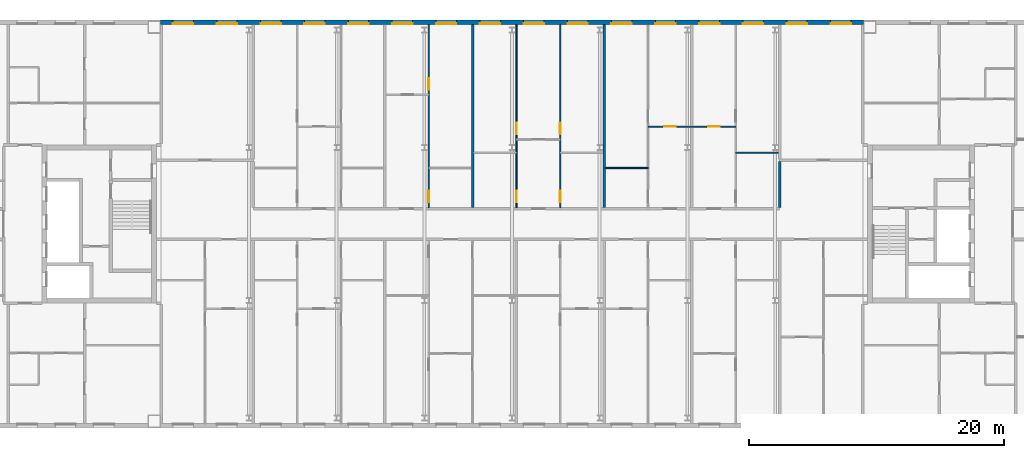
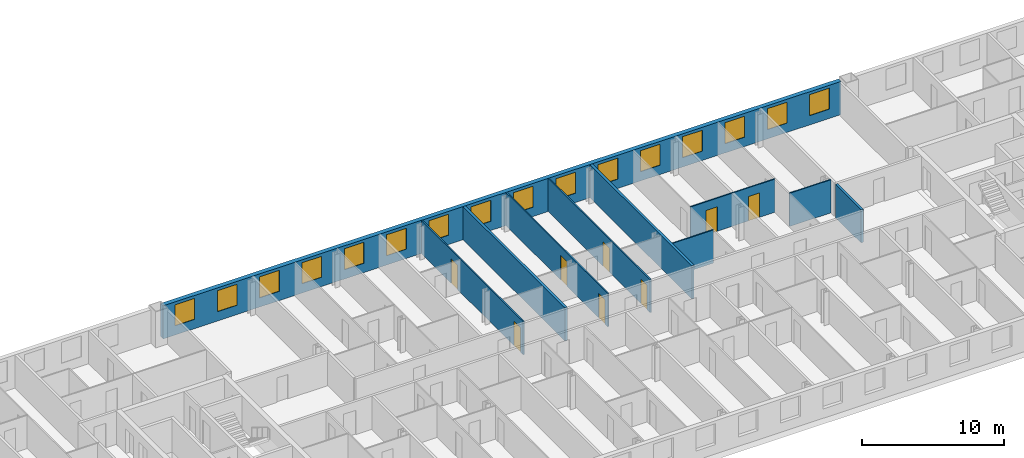
# One storey, part 12 of 19: 16 windows, 10 walls, 8 doors, 24 openings.
"""IFC4 building model written with IfcOpenShell, lengths in metres."""

from ifc_helpers import new_model, si_unit, direction, frame, frame_2d, origin, place, context, subcontext, project, spatial, rectangle, extrude, material, layer, layer_set, type_object, element, fill, save


model = new_model("IFC4")

# Units and contexts
model_context = context("Model", 3, precision=1e-05, world=origin(), true_north=direction((0.0, 1.0)))
body_context = subcontext(model_context, "Body", "Model", "MODEL_VIEW")
ifc_project = project(units=[si_unit("LENGTHUNIT", "METRE"), si_unit("AREAUNIT", "SQUARE_METRE"), si_unit("VOLUMEUNIT", "CUBIC_METRE"), si_unit("PLANEANGLEUNIT", "RADIAN"), si_unit("MASSUNIT", "GRAM", prefix="KILO")], contexts=[model_context])

# Site, building, storey
site_placement = place(None, origin())
site = spatial("IfcSite", under=ifc_project, at=site_placement, CompositionType="ELEMENT")
building_placement = place(site_placement, origin())
building = spatial("IfcBuilding", under=site, at=building_placement, Name="Tuart Gate Housing", CompositionType="ELEMENT")
storey_placement = place(building_placement, frame((0.0, 0.0, 202.800048828125)))
storey = spatial("IfcBuildingStorey", under=building, at=storey_placement, Name="L57", CompositionType="ELEMENT", Elevation=202.800048828125)

# Wall, openings, windows
ifc_material_1 = material(Name="Brick", Category="masonry")
ifc_layer_1 = layer(ifc_material_1, 0.360107421875)
ifc_layer_set_1 = layer_set([ifc_layer_1], Name="Brick pier and spandrel wall 360")
wall_type_1 = type_object("IfcWallType", Name="Brick pier and spandrel wall 360", PredefinedType="STANDARD", material=ifc_layer_set_1)
wall_1_placement = place(storey_placement, frame((131.050048828125, 85.820068359375, 0.0), z_axis=(0.0, 0.0, 1.0), x_axis=(-1.0, 0.0, 0.0)))
wall_1 = element("IfcWall", 1, at=wall_1_placement, inside=storey, type_object=wall_type_1, Name="External wall BLK-N L57", PredefinedType="STANDARD", context=body_context, shape_type="SweptSolid", body=[
    extrude(rectangle(XDim=55.10009765625, YDim=0.360107421875, at=frame_2d((27.550048828125, 0.0))), origin(), (0.0, 0.0, 1.0), 2.849853515625),
])
opening_1_placement = place(wall_1_placement, frame((0.96875, 0.0, 0.800048828125)))
opening_1 = element("IfcOpeningElement", 2, at=opening_1_placement, cuts=wall_1, Name="Opening W1", PredefinedType="OPENING", context=body_context, shape_type="SweptSolid", body=[
    extrude(rectangle(XDim=1.60009765625, YDim=1.800048828125, at=frame_2d((0.800048828125, 0.89990234375))), frame((0.0, 0.18994140625, 0.0), z_axis=(0.0, -1.0, 0.0), x_axis=(1.0, 0.0, 0.0)), (0.0, 0.0, 1.0), 0.380126953125),
])
opening_2_placement = place(wall_1_placement, frame((4.40625, 0.0, 0.800048828125)))
opening_2 = element("IfcOpeningElement", 3, at=opening_2_placement, cuts=wall_1, Name="Opening W1", PredefinedType="OPENING", context=body_context, shape_type="SweptSolid", body=[
    extrude(rectangle(XDim=1.60009765625, YDim=1.800048828125, at=frame_2d((0.800048828125, 0.89990234375))), frame((0.0, 0.18994140625, 0.0), z_axis=(0.0, -1.0, 0.0), x_axis=(1.0, 0.0, 0.0)), (0.0, 0.0, 1.0), 0.380126953125),
])
opening_3_placement = place(wall_1_placement, frame((7.84375, 0.0, 0.800048828125)))
opening_3 = element("IfcOpeningElement", 4, at=opening_3_placement, cuts=wall_1, Name="Opening W1", PredefinedType="OPENING", context=body_context, shape_type="SweptSolid", body=[
    extrude(rectangle(XDim=1.60009765625, YDim=1.800048828125, at=frame_2d((0.800048828125, 0.89990234375))), frame((0.0, 0.18994140625, 0.0), z_axis=(0.0, -1.0, 0.0), x_axis=(1.0, 0.0, 0.0)), (0.0, 0.0, 1.0), 0.380126953125),
])
opening_4_placement = place(wall_1_placement, frame((11.28125, 0.0, 0.800048828125)))
opening_4 = element("IfcOpeningElement", 5, at=opening_4_placement, cuts=wall_1, Name="Opening W1", PredefinedType="OPENING", context=body_context, shape_type="SweptSolid", body=[
    extrude(rectangle(XDim=1.60009765625, YDim=1.800048828125, at=frame_2d((0.800048828125, 0.89990234375))), frame((0.0, 0.18994140625, 0.0), z_axis=(0.0, -1.0, 0.0), x_axis=(1.0, 0.0, 0.0)), (0.0, 0.0, 1.0), 0.380126953125),
])
opening_5_placement = place(wall_1_placement, frame((14.71875, 0.0, 0.800048828125)))
opening_5 = element("IfcOpeningElement", 6, at=opening_5_placement, cuts=wall_1, Name="Opening W1", PredefinedType="OPENING", context=body_context, shape_type="SweptSolid", body=[
    extrude(rectangle(XDim=1.60009765625, YDim=1.800048828125, at=frame_2d((0.800048828125, 0.89990234375))), frame((0.0, 0.18994140625, 0.0), z_axis=(0.0, -1.0, 0.0), x_axis=(1.0, 0.0, 0.0)), (0.0, 0.0, 1.0), 0.380126953125),
])
opening_6_placement = place(wall_1_placement, frame((18.15625, 0.0, 0.800048828125)))
opening_6 = element("IfcOpeningElement", 7, at=opening_6_placement, cuts=wall_1, Name="Opening W1", PredefinedType="OPENING", context=body_context, shape_type="SweptSolid", body=[
    extrude(rectangle(XDim=1.60009765625, YDim=1.800048828125, at=frame_2d((0.800048828125, 0.89990234375))), frame((0.0, 0.18994140625, 0.0), z_axis=(0.0, -1.0, 0.0), x_axis=(1.0, 0.0, 0.0)), (0.0, 0.0, 1.0), 0.380126953125),
])
opening_7_placement = place(wall_1_placement, frame((21.59375, 0.0, 0.800048828125)))
opening_7 = element("IfcOpeningElement", 8, at=opening_7_placement, cuts=wall_1, Name="Opening W1", PredefinedType="OPENING", context=body_context, shape_type="SweptSolid", body=[
    extrude(rectangle(XDim=1.60009765625, YDim=1.800048828125, at=frame_2d((0.800048828125, 0.89990234375))), frame((0.0, 0.18994140625, 0.0), z_axis=(0.0, -1.0, 0.0), x_axis=(1.0, 0.0, 0.0)), (0.0, 0.0, 1.0), 0.380126953125),
])
opening_8_placement = place(wall_1_placement, frame((25.03125, 0.0, 0.800048828125)))
opening_8 = element("IfcOpeningElement", 9, at=opening_8_placement, cuts=wall_1, Name="Opening W1", PredefinedType="OPENING", context=body_context, shape_type="SweptSolid", body=[
    extrude(rectangle(XDim=1.60009765625, YDim=1.800048828125, at=frame_2d((0.800048828125, 0.89990234375))), frame((0.0, 0.18994140625, 0.0), z_axis=(0.0, -1.0, 0.0), x_axis=(1.0, 0.0, 0.0)), (0.0, 0.0, 1.0), 0.380126953125),
])
opening_9_placement = place(wall_1_placement, frame((28.46875, 0.0, 0.800048828125)))
opening_9 = element("IfcOpeningElement", 10, at=opening_9_placement, cuts=wall_1, Name="Opening W1", PredefinedType="OPENING", context=body_context, shape_type="SweptSolid", body=[
    extrude(rectangle(XDim=1.60009765625, YDim=1.800048828125, at=frame_2d((0.800048828125, 0.89990234375))), frame((0.0, 0.18994140625, 0.0), z_axis=(0.0, -1.0, 0.0), x_axis=(1.0, 0.0, 0.0)), (0.0, 0.0, 1.0), 0.380126953125),
])
opening_10_placement = place(wall_1_placement, frame((31.90625, 0.0, 0.800048828125)))
opening_10 = element("IfcOpeningElement", 11, at=opening_10_placement, cuts=wall_1, Name="Opening W1", PredefinedType="OPENING", context=body_context, shape_type="SweptSolid", body=[
    extrude(rectangle(XDim=1.60009765625, YDim=1.800048828125, at=frame_2d((0.800048828125, 0.89990234375))), frame((0.0, 0.18994140625, 0.0), z_axis=(0.0, -1.0, 0.0), x_axis=(1.0, 0.0, 0.0)), (0.0, 0.0, 1.0), 0.380126953125),
])
opening_11_placement = place(wall_1_placement, frame((35.34375, 0.0, 0.800048828125)))
opening_11 = element("IfcOpeningElement", 12, at=opening_11_placement, cuts=wall_1, Name="Opening W1", PredefinedType="OPENING", context=body_context, shape_type="SweptSolid", body=[
    extrude(rectangle(XDim=1.60009765625, YDim=1.800048828125, at=frame_2d((0.800048828125, 0.89990234375))), frame((0.0, 0.18994140625, 0.0), z_axis=(0.0, -1.0, 0.0), x_axis=(1.0, 0.0, 0.0)), (0.0, 0.0, 1.0), 0.380126953125),
])
opening_12_placement = place(wall_1_placement, frame((38.78125, 0.0, 0.800048828125)))
opening_12 = element("IfcOpeningElement", 13, at=opening_12_placement, cuts=wall_1, Name="Opening W1", PredefinedType="OPENING", context=body_context, shape_type="SweptSolid", body=[
    extrude(rectangle(XDim=1.60009765625, YDim=1.800048828125, at=frame_2d((0.800048828125, 0.89990234375))), frame((0.0, 0.18994140625, 0.0), z_axis=(0.0, -1.0, 0.0), x_axis=(1.0, 0.0, 0.0)), (0.0, 0.0, 1.0), 0.380126953125),
])
opening_13_placement = place(wall_1_placement, frame((42.21875, 0.0, 0.800048828125)))
opening_13 = element("IfcOpeningElement", 14, at=opening_13_placement, cuts=wall_1, Name="Opening W1", PredefinedType="OPENING", context=body_context, shape_type="SweptSolid", body=[
    extrude(rectangle(XDim=1.60009765625, YDim=1.800048828125, at=frame_2d((0.800048828125, 0.89990234375))), frame((0.0, 0.18994140625, 0.0), z_axis=(0.0, -1.0, 0.0), x_axis=(1.0, 0.0, 0.0)), (0.0, 0.0, 1.0), 0.380126953125),
])
opening_14_placement = place(wall_1_placement, frame((45.65625, 0.0, 0.800048828125)))
opening_14 = element("IfcOpeningElement", 15, at=opening_14_placement, cuts=wall_1, Name="Opening W1", PredefinedType="OPENING", context=body_context, shape_type="SweptSolid", body=[
    extrude(rectangle(XDim=1.60009765625, YDim=1.800048828125, at=frame_2d((0.800048828125, 0.89990234375))), frame((0.0, 0.18994140625, 0.0), z_axis=(0.0, -1.0, 0.0), x_axis=(1.0, 0.0, 0.0)), (0.0, 0.0, 1.0), 0.380126953125),
])
opening_15_placement = place(wall_1_placement, frame((49.09375, 0.0, 0.800048828125)))
opening_15 = element("IfcOpeningElement", 16, at=opening_15_placement, cuts=wall_1, Name="Opening W1", PredefinedType="OPENING", context=body_context, shape_type="SweptSolid", body=[
    extrude(rectangle(XDim=1.60009765625, YDim=1.800048828125, at=frame_2d((0.800048828125, 0.89990234375))), frame((0.0, 0.18994140625, 0.0), z_axis=(0.0, -1.0, 0.0), x_axis=(1.0, 0.0, 0.0)), (0.0, 0.0, 1.0), 0.380126953125),
])
opening_16_placement = place(wall_1_placement, frame((52.53125, 0.0, 0.800048828125)))
opening_16 = element("IfcOpeningElement", 17, at=opening_16_placement, cuts=wall_1, Name="Opening W1", PredefinedType="OPENING", context=body_context, shape_type="SweptSolid", body=[
    extrude(rectangle(XDim=1.60009765625, YDim=1.800048828125, at=frame_2d((0.800048828125, 0.89990234375))), frame((0.0, 0.18994140625, 0.0), z_axis=(0.0, -1.0, 0.0), x_axis=(1.0, 0.0, 0.0)), (0.0, 0.0, 1.0), 0.380126953125),
])
ifc_material_2 = material(Name="Aluminium frame with clear glass", Category="aluminium")
window_type = type_object("IfcWindowType", Name="Punched window 1600 x 1800", PartitioningType="SINGLE_PANEL", PredefinedType="WINDOW", material=ifc_material_2)
window_1_placement = place(opening_1_placement, origin())
window_1 = element("IfcWindow", 18, at=window_1_placement, inside=storey, type_object=window_type, Name="Window W1", OverallHeight=1.800048828125, OverallWidth=1.60009765625, PartitioningType="SINGLE_PANEL", PredefinedType="WINDOW", context=body_context, shape_type="SweptSolid", body=[
    extrude(rectangle(XDim=1.60009765625, YDim=1.800048828125, at=frame_2d((0.800048828125, 0.89990234375))), frame((0.0, 0.150146484375, 0.0), z_axis=(0.0, -1.0, 0.0), x_axis=(1.0, 0.0, 0.0)), (0.0, 0.0, 1.0), 0.06005859375),
])
fill(opening_1, window_1)
window_2_placement = place(opening_2_placement, origin())
window_2 = element("IfcWindow", 19, at=window_2_placement, inside=storey, type_object=window_type, Name="Window W1", OverallHeight=1.800048828125, OverallWidth=1.60009765625, PartitioningType="SINGLE_PANEL", PredefinedType="WINDOW", context=body_context, shape_type="SweptSolid", body=[
    extrude(rectangle(XDim=1.60009765625, YDim=1.800048828125, at=frame_2d((0.800048828125, 0.89990234375))), frame((0.0, 0.150146484375, 0.0), z_axis=(0.0, -1.0, 0.0), x_axis=(1.0, 0.0, 0.0)), (0.0, 0.0, 1.0), 0.06005859375),
])
fill(opening_2, window_2)
window_3_placement = place(opening_3_placement, origin())
window_3 = element("IfcWindow", 20, at=window_3_placement, inside=storey, type_object=window_type, Name="Window W1", OverallHeight=1.800048828125, OverallWidth=1.60009765625, PartitioningType="SINGLE_PANEL", PredefinedType="WINDOW", context=body_context, shape_type="SweptSolid", body=[
    extrude(rectangle(XDim=1.60009765625, YDim=1.800048828125, at=frame_2d((0.800048828125, 0.89990234375))), frame((0.0, 0.150146484375, 0.0), z_axis=(0.0, -1.0, 0.0), x_axis=(1.0, 0.0, 0.0)), (0.0, 0.0, 1.0), 0.06005859375),
])
fill(opening_3, window_3)
window_4_placement = place(opening_4_placement, origin())
window_4 = element("IfcWindow", 21, at=window_4_placement, inside=storey, type_object=window_type, Name="Window W1", OverallHeight=1.800048828125, OverallWidth=1.60009765625, PartitioningType="SINGLE_PANEL", PredefinedType="WINDOW", context=body_context, shape_type="SweptSolid", body=[
    extrude(rectangle(XDim=1.60009765625, YDim=1.800048828125, at=frame_2d((0.800048828125, 0.89990234375))), frame((0.0, 0.150146484375, 0.0), z_axis=(0.0, -1.0, 0.0), x_axis=(1.0, 0.0, 0.0)), (0.0, 0.0, 1.0), 0.06005859375),
])
fill(opening_4, window_4)
window_5_placement = place(opening_5_placement, origin())
window_5 = element("IfcWindow", 22, at=window_5_placement, inside=storey, type_object=window_type, Name="Window W1", OverallHeight=1.800048828125, OverallWidth=1.60009765625, PartitioningType="SINGLE_PANEL", PredefinedType="WINDOW", context=body_context, shape_type="SweptSolid", body=[
    extrude(rectangle(XDim=1.60009765625, YDim=1.800048828125, at=frame_2d((0.800048828125, 0.89990234375))), frame((0.0, 0.150146484375, 0.0), z_axis=(0.0, -1.0, 0.0), x_axis=(1.0, 0.0, 0.0)), (0.0, 0.0, 1.0), 0.06005859375),
])
fill(opening_5, window_5)
window_6_placement = place(opening_6_placement, origin())
window_6 = element("IfcWindow", 23, at=window_6_placement, inside=storey, type_object=window_type, Name="Window W1", OverallHeight=1.800048828125, OverallWidth=1.60009765625, PartitioningType="SINGLE_PANEL", PredefinedType="WINDOW", context=body_context, shape_type="SweptSolid", body=[
    extrude(rectangle(XDim=1.60009765625, YDim=1.800048828125, at=frame_2d((0.800048828125, 0.89990234375))), frame((0.0, 0.150146484375, 0.0), z_axis=(0.0, -1.0, 0.0), x_axis=(1.0, 0.0, 0.0)), (0.0, 0.0, 1.0), 0.06005859375),
])
fill(opening_6, window_6)
window_7_placement = place(opening_7_placement, origin())
window_7 = element("IfcWindow", 24, at=window_7_placement, inside=storey, type_object=window_type, Name="Window W1", OverallHeight=1.800048828125, OverallWidth=1.60009765625, PartitioningType="SINGLE_PANEL", PredefinedType="WINDOW", context=body_context, shape_type="SweptSolid", body=[
    extrude(rectangle(XDim=1.60009765625, YDim=1.800048828125, at=frame_2d((0.800048828125, 0.89990234375))), frame((0.0, 0.150146484375, 0.0), z_axis=(0.0, -1.0, 0.0), x_axis=(1.0, 0.0, 0.0)), (0.0, 0.0, 1.0), 0.06005859375),
])
fill(opening_7, window_7)
window_8_placement = place(opening_8_placement, origin())
window_8 = element("IfcWindow", 25, at=window_8_placement, inside=storey, type_object=window_type, Name="Window W1", OverallHeight=1.800048828125, OverallWidth=1.60009765625, PartitioningType="SINGLE_PANEL", PredefinedType="WINDOW", context=body_context, shape_type="SweptSolid", body=[
    extrude(rectangle(XDim=1.60009765625, YDim=1.800048828125, at=frame_2d((0.800048828125, 0.89990234375))), frame((0.0, 0.150146484375, 0.0), z_axis=(0.0, -1.0, 0.0), x_axis=(1.0, 0.0, 0.0)), (0.0, 0.0, 1.0), 0.06005859375),
])
fill(opening_8, window_8)
window_9_placement = place(opening_9_placement, origin())
window_9 = element("IfcWindow", 26, at=window_9_placement, inside=storey, type_object=window_type, Name="Window W1", OverallHeight=1.800048828125, OverallWidth=1.60009765625, PartitioningType="SINGLE_PANEL", PredefinedType="WINDOW", context=body_context, shape_type="SweptSolid", body=[
    extrude(rectangle(XDim=1.60009765625, YDim=1.800048828125, at=frame_2d((0.800048828125, 0.89990234375))), frame((0.0, 0.150146484375, 0.0), z_axis=(0.0, -1.0, 0.0), x_axis=(1.0, 0.0, 0.0)), (0.0, 0.0, 1.0), 0.06005859375),
])
fill(opening_9, window_9)
window_10_placement = place(opening_10_placement, origin())
window_10 = element("IfcWindow", 27, at=window_10_placement, inside=storey, type_object=window_type, Name="Window W1", OverallHeight=1.800048828125, OverallWidth=1.60009765625, PartitioningType="SINGLE_PANEL", PredefinedType="WINDOW", context=body_context, shape_type="SweptSolid", body=[
    extrude(rectangle(XDim=1.60009765625, YDim=1.800048828125, at=frame_2d((0.800048828125, 0.89990234375))), frame((0.0, 0.150146484375, 0.0), z_axis=(0.0, -1.0, 0.0), x_axis=(1.0, 0.0, 0.0)), (0.0, 0.0, 1.0), 0.06005859375),
])
fill(opening_10, window_10)
window_11_placement = place(opening_11_placement, origin())
window_11 = element("IfcWindow", 28, at=window_11_placement, inside=storey, type_object=window_type, Name="Window W1", OverallHeight=1.800048828125, OverallWidth=1.60009765625, PartitioningType="SINGLE_PANEL", PredefinedType="WINDOW", context=body_context, shape_type="SweptSolid", body=[
    extrude(rectangle(XDim=1.60009765625, YDim=1.800048828125, at=frame_2d((0.800048828125, 0.89990234375))), frame((0.0, 0.150146484375, 0.0), z_axis=(0.0, -1.0, 0.0), x_axis=(1.0, 0.0, 0.0)), (0.0, 0.0, 1.0), 0.06005859375),
])
fill(opening_11, window_11)
window_12_placement = place(opening_12_placement, origin())
window_12 = element("IfcWindow", 29, at=window_12_placement, inside=storey, type_object=window_type, Name="Window W1", OverallHeight=1.800048828125, OverallWidth=1.60009765625, PartitioningType="SINGLE_PANEL", PredefinedType="WINDOW", context=body_context, shape_type="SweptSolid", body=[
    extrude(rectangle(XDim=1.60009765625, YDim=1.800048828125, at=frame_2d((0.800048828125, 0.89990234375))), frame((0.0, 0.150146484375, 0.0), z_axis=(0.0, -1.0, 0.0), x_axis=(1.0, 0.0, 0.0)), (0.0, 0.0, 1.0), 0.06005859375),
])
fill(opening_12, window_12)
window_13_placement = place(opening_13_placement, origin())
window_13 = element("IfcWindow", 30, at=window_13_placement, inside=storey, type_object=window_type, Name="Window W1", OverallHeight=1.800048828125, OverallWidth=1.60009765625, PartitioningType="SINGLE_PANEL", PredefinedType="WINDOW", context=body_context, shape_type="SweptSolid", body=[
    extrude(rectangle(XDim=1.60009765625, YDim=1.800048828125, at=frame_2d((0.800048828125, 0.89990234375))), frame((0.0, 0.150146484375, 0.0), z_axis=(0.0, -1.0, 0.0), x_axis=(1.0, 0.0, 0.0)), (0.0, 0.0, 1.0), 0.06005859375),
])
fill(opening_13, window_13)
window_14_placement = place(opening_14_placement, origin())
window_14 = element("IfcWindow", 31, at=window_14_placement, inside=storey, type_object=window_type, Name="Window W1", OverallHeight=1.800048828125, OverallWidth=1.60009765625, PartitioningType="SINGLE_PANEL", PredefinedType="WINDOW", context=body_context, shape_type="SweptSolid", body=[
    extrude(rectangle(XDim=1.60009765625, YDim=1.800048828125, at=frame_2d((0.800048828125, 0.89990234375))), frame((0.0, 0.150146484375, 0.0), z_axis=(0.0, -1.0, 0.0), x_axis=(1.0, 0.0, 0.0)), (0.0, 0.0, 1.0), 0.06005859375),
])
fill(opening_14, window_14)
window_15_placement = place(opening_15_placement, origin())
window_15 = element("IfcWindow", 32, at=window_15_placement, inside=storey, type_object=window_type, Name="Window W1", OverallHeight=1.800048828125, OverallWidth=1.60009765625, PartitioningType="SINGLE_PANEL", PredefinedType="WINDOW", context=body_context, shape_type="SweptSolid", body=[
    extrude(rectangle(XDim=1.60009765625, YDim=1.800048828125, at=frame_2d((0.800048828125, 0.89990234375))), frame((0.0, 0.150146484375, 0.0), z_axis=(0.0, -1.0, 0.0), x_axis=(1.0, 0.0, 0.0)), (0.0, 0.0, 1.0), 0.06005859375),
])
fill(opening_15, window_15)
window_16_placement = place(opening_16_placement, origin())
window_16 = element("IfcWindow", 33, at=window_16_placement, inside=storey, type_object=window_type, Name="Window W1", OverallHeight=1.800048828125, OverallWidth=1.60009765625, PartitioningType="SINGLE_PANEL", PredefinedType="WINDOW", context=body_context, shape_type="SweptSolid", body=[
    extrude(rectangle(XDim=1.60009765625, YDim=1.800048828125, at=frame_2d((0.800048828125, 0.89990234375))), frame((0.0, 0.150146484375, 0.0), z_axis=(0.0, -1.0, 0.0), x_axis=(1.0, 0.0, 0.0)), (0.0, 0.0, 1.0), 0.06005859375),
])
fill(opening_16, window_16)

# Walls
ifc_material_3 = material(Name="Concrete masonry 15 MPa", Category="masonry")
ifc_layer_2 = layer(ifc_material_3, 0.199951171875)
ifc_layer_set_2 = layer_set([ifc_layer_2], Name="Corridor wall masonry 200")
wall_type_2 = type_object("IfcWallType", Name="Corridor wall masonry 200", PredefinedType="PARTITIONING", material=ifc_layer_set_2)
wall_2_placement = place(storey_placement, frame((124.47509765625, 71.300048828125, 0.0), z_axis=(0.0, 0.0, 1.0), x_axis=(0.0, 1.0, 0.0)))
element("IfcWall", 34, at=wall_2_placement, inside=storey, type_object=wall_type_2, Name="Corridor wall masonry 200", PredefinedType="PARTITIONING", context=body_context, shape_type="SweptSolid", body=[
    extrude(rectangle(XDim=3.599853515625, YDim=0.199951171875, at=frame_2d((1.7998046875, 0.0))), origin(), (0.0, 0.0, 1.0), 2.849853515625),
])
ifc_material_4 = material(Name="Gypsum board on steel studs", Category="steel")
ifc_layer_3 = layer(ifc_material_4, 0.10009765625)
ifc_layer_set_3 = layer_set([ifc_layer_3], Name="Partition 100")
wall_type_3 = type_object("IfcWallType", Name="Partition 100", PredefinedType="PARTITIONING", material=ifc_layer_set_3)
wall_3_placement = place(storey_placement, frame((110.824951171875, 74.39990234375, 0.0), z_axis=(0.0, 0.0, 1.0), x_axis=(1.0, 0.0, 0.0)))
element("IfcWall", 35, at=wall_3_placement, inside=storey, type_object=wall_type_3, Name="Partition 100", PredefinedType="PARTITIONING", context=body_context, shape_type="SweptSolid", body=[
    extrude(rectangle(XDim=3.337158203125, YDim=0.10009765625, at=frame_2d((1.66845703125, 0.0))), origin(), (0.0, 0.0, 1.0), 2.849853515625),
])
wall_4_placement = place(storey_placement, frame((121.037109375, 75.60009765625, 0.0), z_axis=(0.0, 0.0, 1.0), x_axis=(1.0, 0.0, 0.0)))
element("IfcWall", 36, at=wall_4_placement, inside=storey, type_object=wall_type_3, Name="Partition 100", PredefinedType="PARTITIONING", context=body_context, shape_type="SweptSolid", body=[
    extrude(rectangle(XDim=3.337890625, YDim=0.10009765625, at=frame_2d((1.6689453125, 0.0))), origin(), (0.0, 0.0, 1.0), 2.849853515625),
])

# Wall, openings, doors
wall_5_placement = place(storey_placement, frame((114.162109375, 77.639892578125, 0.0), z_axis=(0.0, 0.0, 1.0), x_axis=(1.0, 0.0, 0.0)))
wall_5 = element("IfcWall", 37, at=wall_5_placement, inside=storey, type_object=wall_type_3, Name="Partition 100", PredefinedType="PARTITIONING", context=body_context, shape_type="SweptSolid", body=[
    extrude(rectangle(XDim=6.875, YDim=0.10009765625, at=frame_2d((3.4375, 0.0))), origin(), (0.0, 0.0, 1.0), 2.849853515625),
])
opening_17_placement = place(wall_5_placement, frame((1.26904296875, 0.0, 0.0)))
opening_17 = element("IfcOpeningElement", 38, at=opening_17_placement, cuts=wall_5, Name="Opening D2018", PredefinedType="OPENING", context=body_context, shape_type="SweptSolid", body=[
    extrude(rectangle(XDim=0.89990234375, YDim=2.10009765625, at=frame_2d((0.449951171875, 1.050048828125))), frame((0.0, 0.06005859375, 0.0), z_axis=(0.0, -1.0, 0.0), x_axis=(1.0, 0.0, 0.0)), (0.0, 0.0, 1.0), 0.1201171875),
])
opening_18_placement = place(wall_5_placement, frame((4.70654296875, 0.0, 0.0)))
opening_18 = element("IfcOpeningElement", 39, at=opening_18_placement, cuts=wall_5, Name="Opening D2019", PredefinedType="OPENING", context=body_context, shape_type="SweptSolid", body=[
    extrude(rectangle(XDim=0.89990234375, YDim=2.10009765625, at=frame_2d((0.449951171875, 1.050048828125))), frame((0.0, 0.06005859375, 0.0), z_axis=(0.0, -1.0, 0.0), x_axis=(1.0, 0.0, 0.0)), (0.0, 0.0, 1.0), 0.1201171875),
])
ifc_material_5 = material(Name="Timber door leaf in steel frame", Category="steel")
door_type_1 = type_object("IfcDoorType", Name="Internal door 900 RH", OperationType="SINGLE_SWING_RIGHT", PredefinedType="DOOR", material=ifc_material_5)
door_1_placement = place(opening_17_placement, frame((0.89990234375, 0.0, 0.0), z_axis=(0.0, 0.0, 1.0), x_axis=(-1.0, 0.0, 0.0)))
door_1 = element("IfcDoor", 40, at=door_1_placement, inside=storey, type_object=door_type_1, Name="Internal door", OperationType="SINGLE_SWING_RIGHT", OverallHeight=2.10009765625, OverallWidth=0.89990234375, PredefinedType="DOOR", context=body_context, shape_type="SweptSolid", body=[
    extrude(rectangle(XDim=0.89990234375, YDim=2.10009765625, at=frame_2d((0.449951171875, 1.050048828125))), frame((0.0, 0.025146484375, 0.0), z_axis=(0.0, -1.0, 0.0), x_axis=(1.0, 0.0, 0.0)), (0.0, 0.0, 1.0), 0.050048828125),
])
fill(opening_17, door_1)
door_2_placement = place(opening_18_placement, frame((0.89990234375, 0.0, 0.0), z_axis=(0.0, 0.0, 1.0), x_axis=(-1.0, 0.0, 0.0)))
door_2 = element("IfcDoor", 41, at=door_2_placement, inside=storey, type_object=door_type_1, Name="Internal door", OperationType="SINGLE_SWING_RIGHT", OverallHeight=2.10009765625, OverallWidth=0.89990234375, PredefinedType="DOOR", context=body_context, shape_type="SweptSolid", body=[
    extrude(rectangle(XDim=0.89990234375, YDim=2.10009765625, at=frame_2d((0.449951171875, 1.050048828125))), frame((0.0, 0.025146484375, 0.0), z_axis=(0.0, -1.0, 0.0), x_axis=(1.0, 0.0, 0.0)), (0.0, 0.0, 1.0), 0.050048828125),
])
fill(opening_18, door_2)

wall_6_placement = place(storey_placement, frame((96.97509765625, 71.300048828125, 0.0), z_axis=(0.0, 0.0, 1.0), x_axis=(0.0, 1.0, 0.0)))
wall_6 = element("IfcWall", 42, at=wall_6_placement, inside=storey, type_object=wall_type_3, Name="Partition 100", PredefinedType="PARTITIONING", context=body_context, shape_type="SweptSolid", body=[
    extrude(rectangle(XDim=14.33984375, YDim=0.10009765625, at=frame_2d((7.169921875, 0.0))), origin(), (0.0, 0.0, 1.0), 2.849853515625),
])
opening_19_placement = place(wall_6_placement, frame((9.239990234375, 0.0, 0.0)))
opening_19 = element("IfcOpeningElement", 43, at=opening_19_placement, cuts=wall_6, Name="Opening D2008", PredefinedType="OPENING", context=body_context, shape_type="SweptSolid", body=[
    extrude(rectangle(XDim=0.89990234375, YDim=2.10009765625, at=frame_2d((0.449951171875, 1.050048828125))), frame((0.0, 0.06005859375, 0.0), z_axis=(0.0, -1.0, 0.0), x_axis=(1.0, 0.0, 0.0)), (0.0, 0.0, 1.0), 0.1201171875),
])
opening_20_placement = place(wall_6_placement, frame((0.39990234375, 0.0, 0.0)))
opening_20 = element("IfcOpeningElement", 44, at=opening_20_placement, cuts=wall_6, Name="Opening D2007", PredefinedType="OPENING", context=body_context, shape_type="SweptSolid", body=[
    extrude(rectangle(XDim=0.89990234375, YDim=2.10009765625, at=frame_2d((0.449951171875, 1.050048828125))), frame((0.0, 0.06005859375, 0.0), z_axis=(0.0, -1.0, 0.0), x_axis=(1.0, 0.0, 0.0)), (0.0, 0.0, 1.0), 0.1201171875),
])
ifc_material_6 = material(Name="Timber door leaf in steel frame", Category="steel")
door_type_2 = type_object("IfcDoorType", Name="Bathroom door 900 RH", OperationType="SINGLE_SWING_RIGHT", PredefinedType="DOOR", material=ifc_material_6)
door_3_placement = place(opening_20_placement, frame((0.89990234375, 0.0, 0.0), z_axis=(0.0, 0.0, 1.0), x_axis=(-1.0, 0.0, 0.0)))
door_3 = element("IfcDoor", 45, at=door_3_placement, inside=storey, type_object=door_type_2, Name="Bathroom door", OperationType="SINGLE_SWING_RIGHT", OverallHeight=2.10009765625, OverallWidth=0.89990234375, PredefinedType="DOOR", context=body_context, shape_type="SweptSolid", body=[
    extrude(rectangle(XDim=0.89990234375, YDim=2.10009765625, at=frame_2d((0.449951171875, 1.050048828125))), frame((0.0, 0.025146484375, 0.0), z_axis=(0.0, -1.0, 0.0), x_axis=(1.0, 0.0, 0.0)), (0.0, 0.0, 1.0), 0.050048828125),
])
fill(opening_20, door_3)
ifc_material_7 = material(Name="Timber door leaf in steel frame", Category="steel")
door_type_3 = type_object("IfcDoorType", Name="Internal door 900", OperationType="SINGLE_SWING_LEFT", PredefinedType="DOOR", material=ifc_material_7)
door_4_placement = place(opening_19_placement, frame((0.89990234375, 0.0, 0.0), z_axis=(0.0, 0.0, 1.0), x_axis=(-1.0, 0.0, 0.0)))
door_4 = element("IfcDoor", 46, at=door_4_placement, inside=storey, type_object=door_type_3, Name="Internal door", OperationType="SINGLE_SWING_LEFT", OverallHeight=2.10009765625, OverallWidth=0.89990234375, PredefinedType="DOOR", context=body_context, shape_type="SweptSolid", body=[
    extrude(rectangle(XDim=0.89990234375, YDim=2.10009765625, at=frame_2d((0.449951171875, 1.050048828125))), frame((0.0, 0.025146484375, 0.0), z_axis=(0.0, -1.0, 0.0), x_axis=(1.0, 0.0, 0.0)), (0.0, 0.0, 1.0), 0.050048828125),
])
fill(opening_19, door_4)

wall_7_placement = place(storey_placement, frame((103.85009765625, 71.300048828125, 0.0), z_axis=(0.0, 0.0, 1.0), x_axis=(0.0, 1.0, 0.0)))
wall_7 = element("IfcWall", 47, at=wall_7_placement, inside=storey, type_object=wall_type_3, Name="Partition 100", PredefinedType="PARTITIONING", context=body_context, shape_type="SweptSolid", body=[
    extrude(rectangle(XDim=14.33984375, YDim=0.10009765625, at=frame_2d((7.169921875, 0.0))), origin(), (0.0, 0.0, 1.0), 2.849853515625),
])
opening_21_placement = place(wall_7_placement, frame((5.739990234375, 0.0, 0.0)))
opening_21 = element("IfcOpeningElement", 48, at=opening_21_placement, cuts=wall_7, Name="Opening D2010", PredefinedType="OPENING", context=body_context, shape_type="SweptSolid", body=[
    extrude(rectangle(XDim=0.89990234375, YDim=2.10009765625, at=frame_2d((0.449951171875, 1.050048828125))), frame((0.0, 0.06005859375, 0.0), z_axis=(0.0, -1.0, 0.0), x_axis=(1.0, 0.0, 0.0)), (0.0, 0.0, 1.0), 0.1201171875),
])
opening_22_placement = place(wall_7_placement, frame((0.39990234375, 0.0, 0.0)))
opening_22 = element("IfcOpeningElement", 49, at=opening_22_placement, cuts=wall_7, Name="Opening D2009", PredefinedType="OPENING", context=body_context, shape_type="SweptSolid", body=[
    extrude(rectangle(XDim=0.89990234375, YDim=2.10009765625, at=frame_2d((0.449951171875, 1.050048828125))), frame((0.0, 0.06005859375, 0.0), z_axis=(0.0, -1.0, 0.0), x_axis=(1.0, 0.0, 0.0)), (0.0, 0.0, 1.0), 0.1201171875),
])
ifc_material_8 = material(Name="Timber door leaf in steel frame", Category="steel")
door_type_4 = type_object("IfcDoorType", Name="Bathroom door 900", OperationType="SINGLE_SWING_LEFT", PredefinedType="DOOR", material=ifc_material_8)
door_5_placement = place(opening_22_placement, origin())
door_5 = element("IfcDoor", 50, at=door_5_placement, inside=storey, type_object=door_type_4, Name="Bathroom door", OperationType="SINGLE_SWING_LEFT", OverallHeight=2.10009765625, OverallWidth=0.89990234375, PredefinedType="DOOR", context=body_context, shape_type="SweptSolid", body=[
    extrude(rectangle(XDim=0.89990234375, YDim=2.10009765625, at=frame_2d((0.449951171875, 1.050048828125))), frame((0.0, 0.02490234375, 0.0), z_axis=(0.0, -1.0, 0.0), x_axis=(1.0, 0.0, 0.0)), (0.0, 0.0, 1.0), 0.050048828125),
])
fill(opening_22, door_5)
door_6_placement = place(opening_21_placement, origin())
door_6 = element("IfcDoor", 51, at=door_6_placement, inside=storey, type_object=door_type_3, Name="Internal door", OperationType="SINGLE_SWING_LEFT", OverallHeight=2.10009765625, OverallWidth=0.89990234375, PredefinedType="DOOR", context=body_context, shape_type="SweptSolid", body=[
    extrude(rectangle(XDim=0.89990234375, YDim=2.10009765625, at=frame_2d((0.449951171875, 1.050048828125))), frame((0.0, 0.02490234375, 0.0), z_axis=(0.0, -1.0, 0.0), x_axis=(1.0, 0.0, 0.0)), (0.0, 0.0, 1.0), 0.050048828125),
])
fill(opening_21, door_6)

wall_8_placement = place(storey_placement, frame((107.287109375, 71.300048828125, 0.0), z_axis=(0.0, 0.0, 1.0), x_axis=(0.0, 1.0, 0.0)))
wall_8 = element("IfcWall", 52, at=wall_8_placement, inside=storey, type_object=wall_type_3, Name="Partition 100", PredefinedType="PARTITIONING", context=body_context, shape_type="SweptSolid", body=[
    extrude(rectangle(XDim=14.33984375, YDim=0.10009765625, at=frame_2d((7.169921875, 0.0))), origin(), (0.0, 0.0, 1.0), 2.849853515625),
])
opening_23_placement = place(wall_8_placement, frame((5.739990234375, 0.0, 0.0)))
opening_23 = element("IfcOpeningElement", 53, at=opening_23_placement, cuts=wall_8, Name="Opening D2012", PredefinedType="OPENING", context=body_context, shape_type="SweptSolid", body=[
    extrude(rectangle(XDim=0.89990234375, YDim=2.10009765625, at=frame_2d((0.449951171875, 1.050048828125))), frame((0.0, 0.06005859375, 0.0), z_axis=(0.0, -1.0, 0.0), x_axis=(1.0, 0.0, 0.0)), (0.0, 0.0, 1.0), 0.1201171875),
])
opening_24_placement = place(wall_8_placement, frame((0.39990234375, 0.0, 0.0)))
opening_24 = element("IfcOpeningElement", 54, at=opening_24_placement, cuts=wall_8, Name="Opening D2011", PredefinedType="OPENING", context=body_context, shape_type="SweptSolid", body=[
    extrude(rectangle(XDim=0.89990234375, YDim=2.10009765625, at=frame_2d((0.449951171875, 1.050048828125))), frame((0.0, 0.06005859375, 0.0), z_axis=(0.0, -1.0, 0.0), x_axis=(1.0, 0.0, 0.0)), (0.0, 0.0, 1.0), 0.1201171875),
])
door_7_placement = place(opening_24_placement, frame((0.89990234375, 0.0, 0.0), z_axis=(0.0, 0.0, 1.0), x_axis=(-1.0, 0.0, 0.0)))
door_7 = element("IfcDoor", 55, at=door_7_placement, inside=storey, type_object=door_type_2, Name="Bathroom door", OperationType="SINGLE_SWING_RIGHT", OverallHeight=2.10009765625, OverallWidth=0.89990234375, PredefinedType="DOOR", context=body_context, shape_type="SweptSolid", body=[
    extrude(rectangle(XDim=0.89990234375, YDim=2.10009765625, at=frame_2d((0.449951171875, 1.050048828125))), frame((0.0, 0.025146484375, 0.0), z_axis=(0.0, -1.0, 0.0), x_axis=(1.0, 0.0, 0.0)), (0.0, 0.0, 1.0), 0.050048828125),
])
fill(opening_24, door_7)
door_8_placement = place(opening_23_placement, frame((0.89990234375, 0.0, 0.0), z_axis=(0.0, 0.0, 1.0), x_axis=(-1.0, 0.0, 0.0)))
door_8 = element("IfcDoor", 56, at=door_8_placement, inside=storey, type_object=door_type_1, Name="Internal door", OperationType="SINGLE_SWING_RIGHT", OverallHeight=2.10009765625, OverallWidth=0.89990234375, PredefinedType="DOOR", context=body_context, shape_type="SweptSolid", body=[
    extrude(rectangle(XDim=0.89990234375, YDim=2.10009765625, at=frame_2d((0.449951171875, 1.050048828125))), frame((0.0, 0.025146484375, 0.0), z_axis=(0.0, -1.0, 0.0), x_axis=(1.0, 0.0, 0.0)), (0.0, 0.0, 1.0), 0.050048828125),
])
fill(opening_23, door_8)

# Walls
ifc_material_9 = material(Name="Concrete masonry 15 MPa", Category="masonry")
ifc_layer_4 = layer(ifc_material_9, 0.199951171875)
ifc_layer_set_4 = layer_set([ifc_layer_4], Name="Party wall masonry 200")
wall_type_4 = type_object("IfcWallType", Name="Party wall masonry 200", PredefinedType="PARTITIONING", material=ifc_layer_set_4)
for number, where, z_axis, x_axis, name in (
    (57, (100.412109375, 71.300048828125, 0.0), (0.0, 0.0, 1.0), (0.0, 1.0, 0.0), "Party wall masonry 200"),
    (58, (110.72509765625, 71.300048828125, 0.0), (0.0, 0.0, 1.0), (0.0, 1.0, 0.0), "Party wall masonry 200"),
):
    element("IfcWall", number, at=place(storey_placement, frame(where, z_axis=z_axis, x_axis=x_axis)), inside=storey, type_object=wall_type_4, Name=name, PredefinedType="PARTITIONING", context=body_context, shape_type="SweptSolid", body=[
        extrude(rectangle(XDim=14.33984375, YDim=0.199951171875, at=frame_2d((7.169921875, 0.0))), origin(), (0.0, 0.0, 1.0), 2.849853515625),
    ])

save(model, "model.ifc")
